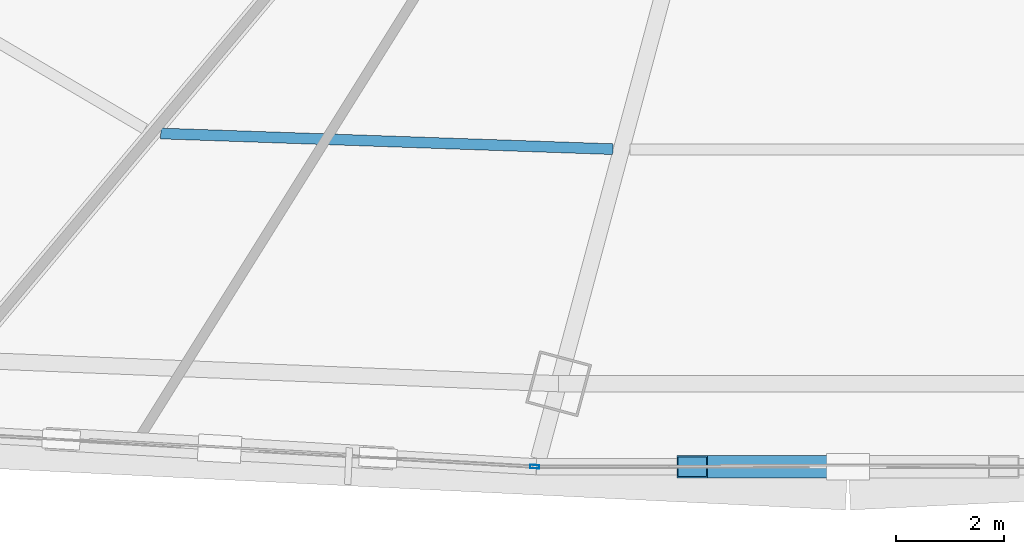
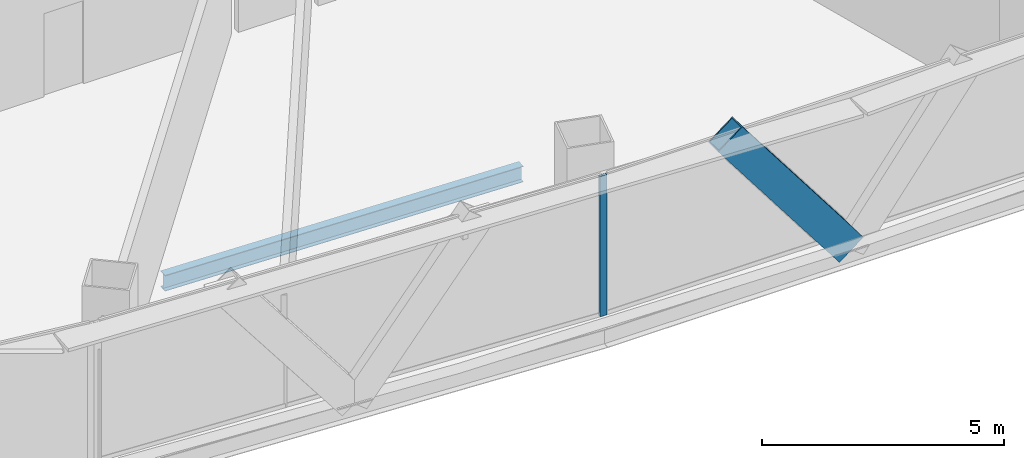
# One storey, part 8 of 36: 2 members, 1 beam, 1 element without a shape of its own.
"""IFC4 building model written with IfcOpenShell, lengths in metres."""

from ifc_helpers import new_model, si_unit, direction, frame, origin, origin_2d, place, context, subcontext, project, spatial, hollow_rectangle, i_section, extrude, source, transform, mapped, material, layer, layer_set, material_profile, profile_set, type_object, element, aggregate, save


model = new_model("IFC4")

# Units and contexts
model_context = context("Model", 3, precision=1e-05, world=origin(), true_north=direction((0.0, 1.0)))
body_context = subcontext(model_context, "Body", "Model", "MODEL_VIEW")
ifc_project = project(units=[si_unit("LENGTHUNIT", "METRE"), si_unit("AREAUNIT", "SQUARE_METRE"), si_unit("VOLUMEUNIT", "CUBIC_METRE"), si_unit("PLANEANGLEUNIT", "RADIAN"), si_unit("MASSUNIT", "GRAM", prefix="KILO"), si_unit("THERMODYNAMICTEMPERATUREUNIT", "KELVIN"), si_unit("POWERUNIT", "WATT")], contexts=[model_context])

# Site, building, storey
site_placement = place(None, origin())
site = spatial("IfcSite", under=ifc_project, at=site_placement, CompositionType="ELEMENT")
building_placement = place(site_placement, origin())
building = spatial("IfcBuilding", under=site, at=building_placement, Name="Yunzhuo Pagoda Commons", CompositionType="ELEMENT")
storey_placement = place(building_placement, frame((0.0, 0.0, 103.97998046875)))
storey = spatial("IfcBuildingStorey", under=building, at=storey_placement, Name="L26", CompositionType="ELEMENT", Elevation=103.97998046875)

# Beam
ifc_material_1 = material(Name="Structural steel Q355B", Category="steel")
ifc_material_profile_1 = material_profile(ifc_material_1, i_section(OverallWidth=0.199951171875, OverallDepth=0.39990234375, WebThickness=0.008056640625, FlangeThickness=0.012939453125, at=origin_2d()), Name="Structural steel Q355B")
ifc_profile_set_1 = profile_set([ifc_material_profile_1], Name="Structural steel Q355B")
beam_type = type_object("IfcBeamType", Name="B-JS1 Joist HN 400x200x8x13", PredefinedType="JOIST", material=ifc_profile_set_1)
shared_shape_1 = source(origin(), body_context, "Body", "SweptSolid", [
    extrude(i_section(OverallWidth=0.199951171875, OverallDepth=0.39990234375, WebThickness=0.008056640625, FlangeThickness=0.012939453125, at=origin_2d()), origin(), (0.0, 0.0, 1.0), 8.392822265625),
])
beam_placement = place(storey_placement, frame((35.25048828125, 18.310791015625, -0.459716796875), z_axis=(0.999400667027, -0.034616567521, 0.0), x_axis=(0.034616567521, 0.999400667027, 0.0)))
element("IfcBeam", 1, at=beam_placement, inside=storey, type_object=beam_type, Name="L26 composite ring joist 2.1", PredefinedType="JOIST", context=body_context, shape_type="MappedRepresentation", body=[
    mapped(shared_shape_1, transform((0.0, 0.0, 0.0), scale=1.0)),
])

# Member
ifc_material_2 = material(Name="Structural steel Q420B", Category="steel")
ifc_material_profile_2 = material_profile(ifc_material_2, hollow_rectangle(XDim=0.419921875, YDim=0.719970703125, WallThickness=0.028076171875, at=origin_2d()), Name="Structural steel Q420B")
ifc_profile_set_2 = profile_set([ifc_material_profile_2], Name="Structural steel Q420B")
member_type_1 = type_object("IfcMemberType", Name="M-DL1 Brace BOX 720x420x28", PredefinedType="BRACE", material=ifc_profile_set_2)
shared_shape_2 = source(origin(), body_context, "Body", "SweptSolid", [
    extrude(hollow_rectangle(XDim=0.419921875, YDim=0.719970703125, WallThickness=0.028076171875, at=origin_2d()), origin(), (0.0, 0.0, 1.0), 4.7744140625),
])
member_1_placement = place(storey_placement, frame((48.0, 12.1279296875, -0.260009765625), z_axis=(-0.605337356395, 0.0, 0.795969022609), x_axis=(0.0, -1.0, 0.0)))
element("IfcMember", 2, at=member_1_placement, inside=storey, type_object=member_type_1, Name="L26 facade diamond brace F1.2L", PredefinedType="BRACE", context=body_context, shape_type="MappedRepresentation", body=[
    mapped(shared_shape_2, transform((0.0, 0.0, 0.0), scale=1.0)),
])

# Curtain wall, member
ifc_material_3 = material(Name="Anodized aluminium 6063-T6", Category="aluminium")
ifc_layer = layer(ifc_material_3, 0.1650390625)
ifc_layer_set = layer_set([ifc_layer], Name="Anodized aluminium 6063-T6")
curtain_wall_type = type_object("IfcCurtainWallType", Name="CW-LOW Low-Zone Ribbon Curtain Wall", PredefinedType="NOTDEFINED", material=ifc_layer_set)
curtain_wall_placement = place(storey_placement, origin())
curtain_wall = element("IfcCurtainWall", 3, at=curtain_wall_placement, inside=storey, type_object=curtain_wall_type, Name="L26 curtain wall CW-L26-F1B2", PredefinedType="NOTDEFINED")
ifc_material_profile_3 = material_profile(ifc_material_3, hollow_rectangle(XDim=0.06494140625, YDim=0.1650390625, WallThickness=0.00390625, at=origin_2d()), Name="Anodized aluminium 6063-T6")
ifc_profile_set_3 = profile_set([ifc_material_profile_3], Name="Anodized aluminium 6063-T6")
member_type_2 = type_object("IfcMemberType", Name="CW-LOW-M Mullion RHS 165x65x4", PredefinedType="MULLION", material=ifc_profile_set_3)
shared_shape_3 = source(origin(), body_context, "Body", "SweptSolid", [
    extrude(hollow_rectangle(XDim=0.06494140625, YDim=0.1650390625, WallThickness=0.00390625, at=origin_2d()), origin(), (0.0, 0.0, 1.0), 3.5400390625),
])
member_2_placement = place(storey_placement, frame((42.187255859375, 12.129638671875, 0.000244140625), z_axis=(0.0, 0.0, 1.0), x_axis=(0.057152816587, 0.998365441888, 0.0)))
member_2 = element("IfcMember", 4, at=member_2_placement, type_object=member_type_2, Name="CW mullion 2", PredefinedType="MULLION", context=body_context, shape_type="MappedRepresentation", body=[
    mapped(shared_shape_3, transform((0.0, 0.0, 0.0), scale=1.0)),
])
aggregate(curtain_wall, [member_2])

save(model, "model.ifc")
